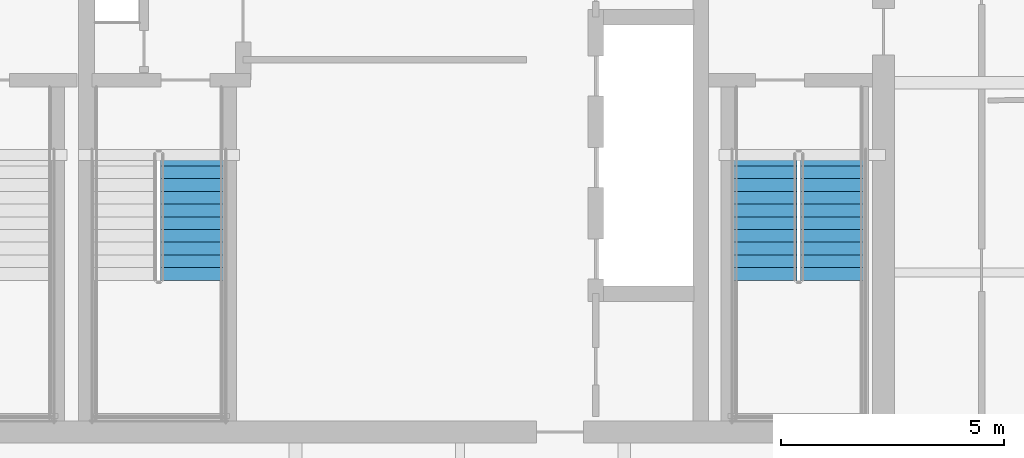
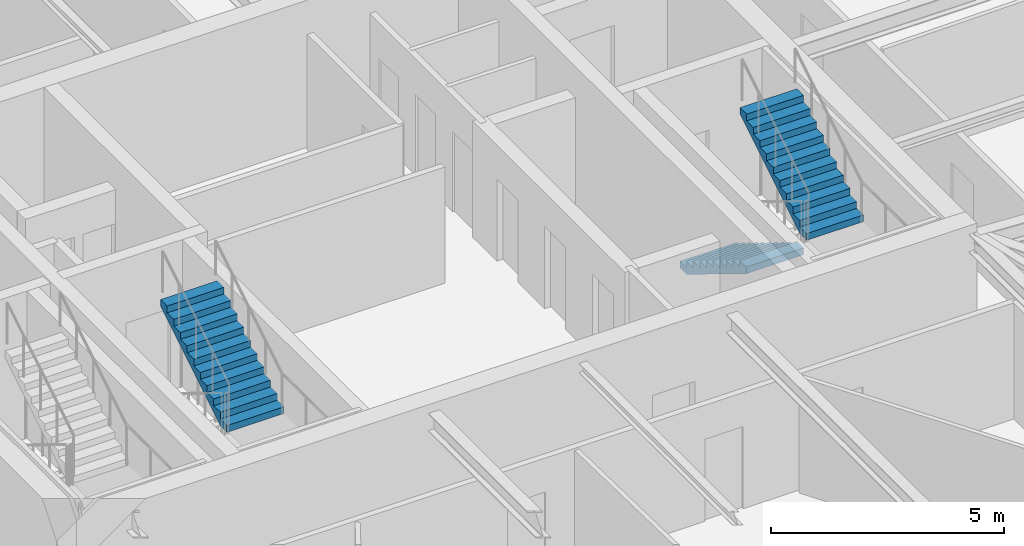
# One storey, part 19 of 22: 3 stair flights, 2 elements without a shape of their own.
"""IFC4 building model written with IfcOpenShell, lengths in metres."""

import ifcopenshell
import ifcopenshell.guid

model = None  # the IFC model being written
_history = None  # IfcOwnerHistory: only IFC2X3 demands one
_inside = {}  # id of a spatial element -> (the spatial element, [elements in it])
_under = {}  # id of a project, library or spatial element -> (it, [spatial elements below it])
_declared = {}  # id of a project -> (the project, [libraries it declares])
_typed = {}  # id of a type object -> (the type object, [elements of that type])
_made_of = {}  # id of a material, layer set ... -> (it, [elements and type objects made of it])


def new_model(schema):
    """Start an empty IFC model of exactly this schema.

    Asked for "IFC4X3", IfcOpenShell would pick the latest addendum, in which some entities
    have other attributes; the version numbers below select the first issue.
    IFC2X3 requires an IfcOwnerHistory on every rooted entity: one is made here for all.
    """
    global model, _history
    if schema == "IFC4X3":
        model = ifcopenshell.file(schema_version=(4, 3, 0, 0))
    else:
        model = ifcopenshell.file(schema=schema)
    _inside.clear()
    _under.clear()
    _declared.clear()
    _typed.clear()
    _made_of.clear()
    _history = None
    if model.schema == "IFC2X3":
        org = make("IfcOrganization", Name="unknown")
        user = make(
            "IfcPersonAndOrganization",
            ThePerson=make("IfcPerson", FamilyName="unknown"),
            TheOrganization=org,
        )
        app = make(
            "IfcApplication",
            ApplicationDeveloper=org,
            Version="unknown",
            ApplicationFullName="unknown",
            ApplicationIdentifier="unknown",
        )
        _history = make(
            "IfcOwnerHistory",
            OwningUser=user,
            OwningApplication=app,
            ChangeAction="ADDED",
            CreationDate=0,
        )
    return model


def make(cls, **values):
    """One entity of the class cls with the attributes given. An attribute that is None is left unset."""
    return model.create_entity(
        cls, **{name: value for name, value in values.items() if value is not None}
    )


def rooted(cls, **values):
    """An entity with a GlobalId (a new one), such as an element, a storey or a relation."""
    return make(cls, GlobalId=ifcopenshell.guid.new(), OwnerHistory=_history, **values)


def si_unit(unit_type, name, prefix=None):
    """IfcSIUnit, for example si_unit("LENGTHUNIT", "METRE", prefix="MILLI")."""
    return make("IfcSIUnit", UnitType=unit_type, Prefix=prefix, Name=name)


def assignment(units):
    """IfcUnitAssignment: the units of a project."""
    return None if units is None else make("IfcUnitAssignment", Units=units)


def point(xyz):
    """IfcCartesianPoint."""
    return None if xyz is None else make("IfcCartesianPoint", Coordinates=xyz)


def direction(xyz):
    """IfcDirection."""
    return None if xyz is None else make("IfcDirection", DirectionRatios=xyz)


def frame(location, z_axis=None, x_axis=None):
    """IfcAxis2Placement3D, a coordinate frame: its origin and axes. An axis left out is left unset."""
    return make(
        "IfcAxis2Placement3D",
        Location=point(location),
        Axis=direction(z_axis),
        RefDirection=direction(x_axis),
    )


def origin():
    """The frame at (0, 0, 0) with its axes left unset."""
    return frame((0.0, 0.0, 0.0))


def place(relative_to, where):
    """IfcLocalPlacement: puts the frame where relative to a parent placement (None: the world)."""
    return make(
        "IfcLocalPlacement", PlacementRelTo=relative_to, RelativePlacement=where
    )


def context(
    kind, dimensions, precision=None, world=None, true_north=None, identifier=None
):
    """IfcGeometricRepresentationContext, for example the 3D "Model" context."""
    return make(
        "IfcGeometricRepresentationContext",
        ContextIdentifier=identifier,
        ContextType=kind,
        CoordinateSpaceDimension=dimensions,
        Precision=precision,
        WorldCoordinateSystem=world,
        TrueNorth=true_north,
    )


def subcontext(parent, identifier, kind, view, scale=None):
    """IfcGeometricRepresentationSubContext, for example "Body" below "Model"."""
    return make(
        "IfcGeometricRepresentationSubContext",
        ContextIdentifier=identifier,
        ContextType=kind,
        ParentContext=parent,
        TargetScale=scale,
        TargetView=view,
    )


def project(units=None, contexts=None):
    """IfcProject with its units and contexts."""
    return rooted(
        "IfcProject",
        Name="project",
        RepresentationContexts=contexts,
        UnitsInContext=assignment(units),
    )


def spatial(cls, under=None, at=None, **own):
    """A site, building, storey or space (cls), placed at a placement, below another one or the project."""
    s = rooted(cls, ObjectPlacement=at, **own)
    if under is not None:
        _under.setdefault(under.id(), (under, []))[1].append(s)
    return s


def polyline(points):
    """IfcPolyline through the points."""
    return make("IfcPolyline", Points=[point(p) for p in points])


def outline(outer, holes=None, kind="AREA"):
    """IfcArbitraryClosedProfileDef: a profile drawn as a closed curve; with holes, ...WithVoids."""
    if holes is None:
        return make("IfcArbitraryClosedProfileDef", ProfileType=kind, OuterCurve=outer)
    return make(
        "IfcArbitraryProfileDefWithVoids",
        ProfileType=kind,
        OuterCurve=outer,
        InnerCurves=holes,
    )


def extrude(swept, where, along, depth):
    """IfcExtrudedAreaSolid: the profile swept, set in the frame where, extruded along a direction by depth."""
    return make(
        "IfcExtrudedAreaSolid",
        SweptArea=swept,
        Position=where,
        ExtrudedDirection=direction(along),
        Depth=depth,
    )


def shape(context_of_items, identifier, shape_type, items):
    """IfcShapeRepresentation: the items that make up one representation, for example the "Body"."""
    return make(
        "IfcShapeRepresentation",
        ContextOfItems=context_of_items,
        RepresentationIdentifier=identifier,
        RepresentationType=shape_type,
        Items=items,
    )


def material(Name=None, Category=None):
    """IfcMaterial."""
    return make("IfcMaterial", Name=Name, Category=Category)


def made_of(thing, what):
    """Note that an element or type object is made of a material, layer set ...; save() writes the relation."""
    if what is not None:
        _made_of.setdefault(what.id(), (what, []))[1].append(thing)
    return thing


def type_object(cls, material=None, **own):
    """A type object (cls), such as IfcWallType, which elements share."""
    return made_of(rooted(cls, **own), material)


def element(
    cls,
    number,
    at=None,
    inside=None,
    cuts=None,
    type_object=None,
    material=None,
    context=None,
    identifier="Body",
    shape_type=None,
    held_by="IfcProductDefinitionShape",
    body=None,
    shapes=None,
    **own,
):
    """One element of the class cls, such as IfcWall. Its Tag is "e" and its number.

    at: its placement. inside: the storey or other place that contains it. cuts: it is an
    opening in that element (IfcRelVoidsElement). A single representation is given by context,
    identifier, shape_type and body (its items); several are given by shapes. held_by: the class
    of the entity that holds the representations. save() writes the other relations.
    """
    e = rooted(cls, Tag="e%d" % number, ObjectPlacement=at, **own)
    if body is not None:
        shapes = [shape(context, identifier, shape_type, body)]
    if shapes is not None:
        e.Representation = make(held_by, Representations=shapes)
    if inside is not None:
        _inside.setdefault(inside.id(), (inside, []))[1].append(e)
    if cuts is not None:
        rooted(
            "IfcRelVoidsElement", RelatingBuildingElement=cuts, RelatedOpeningElement=e
        )
    if type_object is not None:
        _typed.setdefault(type_object.id(), (type_object, []))[1].append(e)
    return made_of(e, material)


def aggregate(whole, parts):
    """IfcRelAggregates: a whole, such as a stair, and the parts it consists of."""
    return rooted("IfcRelAggregates", RelatingObject=whole, RelatedObjects=parts)


def save(model, path):
    """Write the relations noted so far, then the file.

    IfcRelAggregates (storeys below a building ...), IfcRelContainedInSpatialStructure (elements
    in a storey), IfcRelDefinesByType, IfcRelAssociatesMaterial and IfcRelDeclares: one each for
    every whole, place, type object, material and project.
    """
    for whole, parts in _under.values():
        aggregate(whole, parts)
    for where, things in _inside.values():
        rooted(
            "IfcRelContainedInSpatialStructure",
            RelatedElements=things,
            RelatingStructure=where,
        )
    for kind, things in _typed.values():
        rooted("IfcRelDefinesByType", RelatedObjects=things, RelatingType=kind)
    for what, things in _made_of.values():
        rooted("IfcRelAssociatesMaterial", RelatedObjects=things, RelatingMaterial=what)
    for by, libraries in _declared.values():
        rooted("IfcRelDeclares", RelatingContext=by, RelatedDefinitions=libraries)
    model.write(path)


model = new_model("IFC4")

# Units and contexts
model_context = context("Model", 3, precision=1e-05, world=origin(), true_north=direction((0.0, 1.0)))
body_context = subcontext(model_context, "Body", "Model", "MODEL_VIEW")
ifc_project = project(units=[si_unit("LENGTHUNIT", "METRE"), si_unit("AREAUNIT", "SQUARE_METRE"), si_unit("VOLUMEUNIT", "CUBIC_METRE"), si_unit("PLANEANGLEUNIT", "RADIAN"), si_unit("MASSUNIT", "GRAM", prefix="KILO")], contexts=[model_context])

# Site, building, storey
site_placement = place(None, origin())
site = spatial("IfcSite", under=ifc_project, at=site_placement, CompositionType="ELEMENT")
building_placement = place(site_placement, origin())
building = spatial("IfcBuilding", under=site, at=building_placement, Name="Bramvorn Convention Spire", CompositionType="ELEMENT")
storey_placement = place(building_placement, frame((0.0, 0.0, 253.60009765625)))
storey = spatial("IfcBuildingStorey", under=building, at=storey_placement, Name="L64", CompositionType="ELEMENT", Elevation=253.60009765625)

# Stair, stair flights
ifc_material_1 = material(Name="Concrete C40/50 Precast Stair", Category="concrete")
stair_type = type_object("IfcStairType", Name="ST-TOWER-1550", PredefinedType="HALF_TURN_STAIR", material=ifc_material_1)
stair_1_placement = place(storey_placement, origin())
stair_1 = element("IfcStair", 1, at=stair_1_placement, inside=storey, type_object=stair_type, Name="L64 Protected Exit Stair ST2", PredefinedType="HALF_TURN_STAIR")
ifc_material_2 = material(Name="Concrete C40/50 Precast Stair Flight", Category="concrete")
stair_flight_type = type_object("IfcStairFlightType", Name="STF-TOWER-1550", PredefinedType="STRAIGHT", material=ifc_material_2)
stair_flight_1_placement = place(storey_placement, frame((46.35498046875, 25.050048828125, 0.0), z_axis=(0.0, 0.0, 1.0), x_axis=(0.0, -1.0, 0.0)))
stair_flight_1 = element("IfcStairFlight", 2, at=stair_flight_1_placement, type_object=stair_flight_type, Name="ST2 flight 1", NumberOfRisers=11, NumberOfTreads=10, PredefinedType="STRAIGHT", RiserHeight=0.175, TreadLength=0.285, context=body_context, shape_type="SweptSolid", body=[
    extrude(outline(polyline([(0.0, 0.0), (0.0, 0.175048828125), (0.284912109375, 0.175048828125), (0.284912109375, 0.35009765625), (0.570068359375, 0.35009765625), (0.570068359375, 0.52490234375), (0.85498046875, 0.52490234375), (0.85498046875, 0.699951171875), (1.139892578125, 0.699951171875), (1.139892578125, 0.875), (1.425048828125, 0.875), (1.425048828125, 1.050048828125), (1.7099609375, 1.050048828125), (1.7099609375, 1.22509765625), (1.9951171875, 1.22509765625), (1.9951171875, 1.39990234375), (2.280029296875, 1.39990234375), (2.280029296875, 1.574951171875), (2.56494140625, 1.574951171875), (2.56494140625, 1.75), (2.85009765625, 1.75), (2.85009765625, 1.925048828125), (2.85009765625, 1.573974609375), (0.286376953125, 0.0), (0.0, 0.0)])), frame((0.0, 0.705078125, 0.0), z_axis=(0.0, -1.0, 0.0), x_axis=(1.0, 0.0, 0.0)), (0.0, 0.0, 1.0), 1.409912109375),
])
stair_flight_2_placement = place(storey_placement, frame((47.844970703125, 22.199951171875, 1.9248046875), z_axis=(0.0, 0.0, 1.0), x_axis=(0.0, 1.0, 0.0)))
stair_flight_2 = element("IfcStairFlight", 3, at=stair_flight_2_placement, type_object=stair_flight_type, Name="ST2 flight 2", NumberOfRisers=11, NumberOfTreads=10, PredefinedType="STRAIGHT", RiserHeight=0.175, TreadLength=0.285, context=body_context, shape_type="SweptSolid", body=[
    extrude(outline(polyline([(0.0, 0.0), (0.0, 0.175048828125), (0.284912109375, 0.175048828125), (0.284912109375, 0.35009765625), (0.570068359375, 0.35009765625), (0.570068359375, 0.52490234375), (0.85498046875, 0.52490234375), (0.85498046875, 0.699951171875), (1.139892578125, 0.699951171875), (1.139892578125, 0.875), (1.425048828125, 0.875), (1.425048828125, 1.050048828125), (1.7099609375, 1.050048828125), (1.7099609375, 1.22509765625), (1.9951171875, 1.22509765625), (1.9951171875, 1.39990234375), (2.280029296875, 1.39990234375), (2.280029296875, 1.574951171875), (2.56494140625, 1.574951171875), (2.56494140625, 1.75), (2.85009765625, 1.75), (2.85009765625, 1.925048828125), (2.85009765625, 1.573974609375), (0.286376953125, 0.0), (0.0, 0.0)])), frame((0.0, 0.705078125, 0.0), z_axis=(0.0, -1.0, 0.0), x_axis=(1.0, 0.0, 0.0)), (0.0, 0.0, 1.0), 1.409912109375),
])
aggregate(stair_1, [stair_flight_1, stair_flight_2])

# Stair, stair flight
stair_2_placement = place(storey_placement, origin())
stair_2 = element("IfcStair", 4, at=stair_2_placement, inside=storey, type_object=stair_type, Name="L64 Protected Exit Stair ST3", PredefinedType="HALF_TURN_STAIR")
stair_flight_3_placement = place(storey_placement, frame((33.4951171875, 22.199951171875, 1.9248046875), z_axis=(0.0, 0.0, 1.0), x_axis=(0.0, 1.0, 0.0)))
stair_flight_3 = element("IfcStairFlight", 5, at=stair_flight_3_placement, type_object=stair_flight_type, Name="ST3 flight 2", NumberOfRisers=11, NumberOfTreads=10, PredefinedType="STRAIGHT", RiserHeight=0.175, TreadLength=0.285, context=body_context, shape_type="SweptSolid", body=[
    extrude(outline(polyline([(0.0, 0.0), (0.0, 0.175048828125), (0.284912109375, 0.175048828125), (0.284912109375, 0.35009765625), (0.570068359375, 0.35009765625), (0.570068359375, 0.52490234375), (0.85498046875, 0.52490234375), (0.85498046875, 0.699951171875), (1.139892578125, 0.699951171875), (1.139892578125, 0.875), (1.425048828125, 0.875), (1.425048828125, 1.050048828125), (1.7099609375, 1.050048828125), (1.7099609375, 1.22509765625), (1.9951171875, 1.22509765625), (1.9951171875, 1.39990234375), (2.280029296875, 1.39990234375), (2.280029296875, 1.574951171875), (2.56494140625, 1.574951171875), (2.56494140625, 1.75), (2.85009765625, 1.75), (2.85009765625, 1.925048828125), (2.85009765625, 1.573974609375), (0.286376953125, 0.0), (0.0, 0.0)])), frame((0.0, 0.705078125, 0.0), z_axis=(0.0, -1.0, 0.0), x_axis=(1.0, 0.0, 0.0)), (0.0, 0.0, 1.0), 1.409912109375),
])
aggregate(stair_2, [stair_flight_3])

save(model, "model.ifc")
